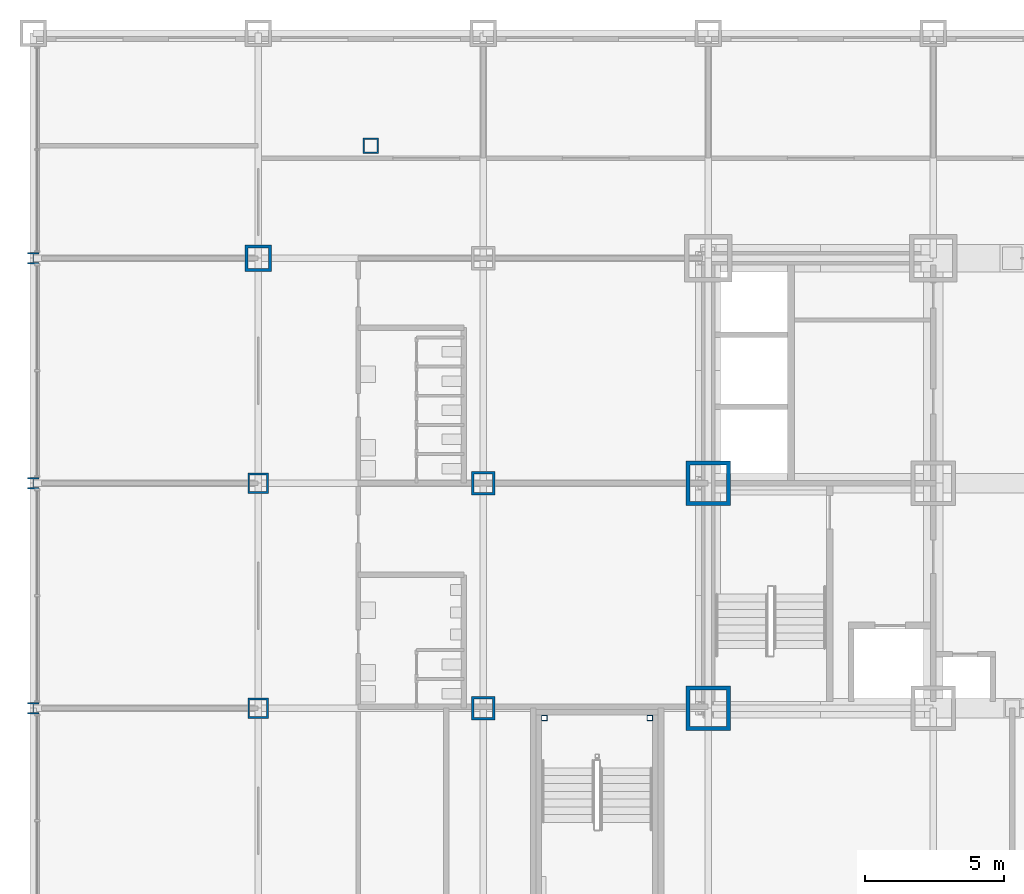
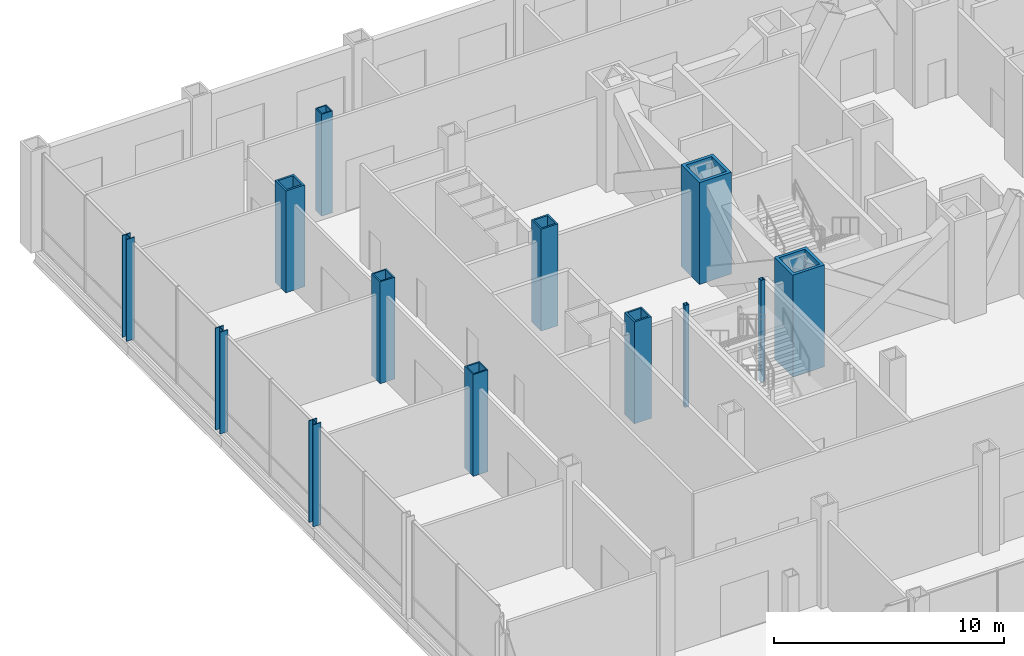
# One storey, part 5 of 29: 13 columns.
"""IFC4 building model written with IfcOpenShell, lengths in metres."""

from ifc_helpers import new_model, si_unit, direction, frame, origin, origin_2d, place, context, subcontext, project, spatial, hollow_rectangle, i_section, extrude, material, material_profile, profile_set, type_object, element, save


model = new_model("IFC4")

# Units and contexts
model_context = context("Model", 3, precision=1e-05, world=origin(), true_north=direction((0.0, 1.0)))
body_context = subcontext(model_context, "Body", "Model", "MODEL_VIEW")
ifc_project = project(units=[si_unit("LENGTHUNIT", "METRE"), si_unit("AREAUNIT", "SQUARE_METRE"), si_unit("VOLUMEUNIT", "CUBIC_METRE"), si_unit("PLANEANGLEUNIT", "RADIAN"), si_unit("MASSUNIT", "GRAM", prefix="KILO")], contexts=[model_context])

# Site, building, storey
site_placement = place(None, origin())
site = spatial("IfcSite", under=ifc_project, at=site_placement, CompositionType="ELEMENT")
building_placement = place(site_placement, origin())
building = spatial("IfcBuilding", under=site, at=building_placement, Name="Kopane Lantern Tower", CompositionType="ELEMENT")
storey_placement = place(building_placement, frame((0.0, 0.0, 11.39990234375)))
storey = spatial("IfcBuildingStorey", under=building, at=storey_placement, Name="L02", CompositionType="ELEMENT", Elevation=11.39990234375)

# Columns
ifc_material_1 = material(Name="Steel S355JR", Category="steel")
ifc_material_profile_1 = material_profile(ifc_material_1, hollow_rectangle(XDim=1.60009765625, YDim=1.60009765625, WallThickness=0.14990234375, at=origin_2d()), Name="BOX 1600x1600x150")
ifc_profile_set_1 = profile_set([ifc_material_profile_1], Name="Steel S355JR")
column_type_1 = type_object("IfcColumnType", Name="COLUMN BOX 1600x1600x150", PredefinedType="COLUMN", material=ifc_profile_set_1)
for number, where, z_axis, x_axis, name in (
    (1, (16.199951171875, 24.300048828125, 0.0), (0.0, 0.0, 1.0), (1.0, 0.0, 0.0), "Column 4/E L02"),
    (2, (16.199951171875, 32.39990234375, 0.0), (0.0, 0.0, 1.0), (1.0, 0.0, 0.0), "Column 4/F L02"),
):
    element("IfcColumn", number, at=place(storey_placement, frame(where, z_axis=z_axis, x_axis=x_axis)), inside=storey, type_object=column_type_1, Name=name, PredefinedType="COLUMN", context=body_context, shape_type="SweptSolid", body=[
        extrude(hollow_rectangle(XDim=1.60009765625, YDim=1.60009765625, WallThickness=0.14990234375, at=origin_2d()), origin(), (0.0, 0.0, 1.0), 5.400146484375),
    ])
ifc_material_2 = material(Name="Steel S355JR", Category="steel")
ifc_material_profile_2 = material_profile(ifc_material_2, hollow_rectangle(XDim=0.550048828125, YDim=0.550048828125, WallThickness=0.050048828125, at=origin_2d()), Name="BOX 550x550x50")
ifc_profile_set_2 = profile_set([ifc_material_profile_2], Name="Steel S355JR")
column_type_2 = type_object("IfcColumnType", Name="COLUMN BOX 550x550x50", PredefinedType="COLUMN", material=ifc_profile_set_2)
column_1_placement = place(storey_placement, frame((4.050048828125, 44.550048828125, 0.0), z_axis=(0.0, 0.0, 1.0), x_axis=(1.0, 0.0, 0.0)))
element("IfcColumn", 3, at=column_1_placement, inside=storey, type_object=column_type_2, Name="Column 4.05/44.55 L02", PredefinedType="COLUMN", context=body_context, shape_type="SweptSolid", body=[
    extrude(hollow_rectangle(XDim=0.550048828125, YDim=0.550048828125, WallThickness=0.050048828125, at=origin_2d()), origin(), (0.0, 0.0, 1.0), 5.400146484375),
])
ifc_material_3 = material(Name="Steel S355JR", Category="steel")
ifc_material_profile_3 = material_profile(ifc_material_3, hollow_rectangle(XDim=0.75, YDim=0.75, WallThickness=0.070068359375, at=origin_2d()), Name="BOX 750x750x70")
ifc_profile_set_3 = profile_set([ifc_material_profile_3], Name="Steel S355JR")
column_type_3 = type_object("IfcColumnType", Name="COLUMN BOX 750x750x70", PredefinedType="COLUMN", material=ifc_profile_set_3)
for number, where, z_axis, x_axis, name in (
    (4, (0.0, 24.300048828125, 0.0), (0.0, 0.0, 1.0), (1.0, 0.0, 0.0), "Column 2/E L02"),
    (5, (0.0, 32.39990234375, 0.0), (0.0, 0.0, 1.0), (1.0, 0.0, 0.0), "Column 2/F L02"),
):
    element("IfcColumn", number, at=place(storey_placement, frame(where, z_axis=z_axis, x_axis=x_axis)), inside=storey, type_object=column_type_3, Name=name, PredefinedType="COLUMN", context=body_context, shape_type="SweptSolid", body=[
        extrude(hollow_rectangle(XDim=0.75, YDim=0.75, WallThickness=0.070068359375, at=origin_2d()), origin(), (0.0, 0.0, 1.0), 5.400146484375),
    ])
ifc_material_4 = material(Name="Steel S355JR", Category="steel")
ifc_material_profile_4 = material_profile(ifc_material_4, hollow_rectangle(XDim=0.85009765625, YDim=0.85009765625, WallThickness=0.0849609375, at=origin_2d()), Name="BOX 850x850x85")
ifc_profile_set_4 = profile_set([ifc_material_profile_4], Name="Steel S355JR")
column_type_4 = type_object("IfcColumnType", Name="COLUMN BOX 850x850x85", PredefinedType="COLUMN", material=ifc_profile_set_4)
for number, where, z_axis, x_axis, name in (
    (6, (8.10009765625, 24.300048828125, 0.0), (0.0, 0.0, 1.0), (1.0, 0.0, 0.0), "Column 3/E L02"),
    (7, (8.10009765625, 32.39990234375, 0.0), (0.0, 0.0, 1.0), (1.0, 0.0, 0.0), "Column 3/F L02"),
):
    element("IfcColumn", number, at=place(storey_placement, frame(where, z_axis=z_axis, x_axis=x_axis)), inside=storey, type_object=column_type_4, Name=name, PredefinedType="COLUMN", context=body_context, shape_type="SweptSolid", body=[
        extrude(hollow_rectangle(XDim=0.85009765625, YDim=0.85009765625, WallThickness=0.0849609375, at=origin_2d()), origin(), (0.0, 0.0, 1.0), 5.400146484375),
    ])
ifc_material_5 = material(Name="Steel S355JR", Category="steel")
ifc_material_profile_5 = material_profile(ifc_material_5, hollow_rectangle(XDim=0.949951171875, YDim=0.949951171875, WallThickness=0.10009765625, at=origin_2d()), Name="BOX 950x950x100")
ifc_profile_set_5 = profile_set([ifc_material_profile_5], Name="Steel S355JR")
column_type_5 = type_object("IfcColumnType", Name="COLUMN BOX 950x950x100", PredefinedType="COLUMN", material=ifc_profile_set_5)
column_2_placement = place(storey_placement, frame((0.0, 40.5, 0.0), z_axis=(0.0, 0.0, 1.0), x_axis=(1.0, 0.0, 0.0)))
element("IfcColumn", 8, at=column_2_placement, inside=storey, type_object=column_type_5, Name="Column 2/G L02", PredefinedType="COLUMN", context=body_context, shape_type="SweptSolid", body=[
    extrude(hollow_rectangle(XDim=0.949951171875, YDim=0.949951171875, WallThickness=0.10009765625, at=origin_2d()), origin(), (0.0, 0.0, 1.0), 5.400146484375),
])
ifc_material_6 = material(Name="Steel S355JR", Category="steel")
ifc_material_profile_6 = material_profile(ifc_material_6, i_section(OverallWidth=0.403076171875, OverallDepth=0.406494140625, WebThickness=0.026611328125, FlangeThickness=0.04296875, FilletRadius=0.01513671875, at=origin_2d()), Name="UC 356x406x340")
ifc_profile_set_6 = profile_set([ifc_material_profile_6], Name="Steel S355JR")
column_type_6 = type_object("IfcColumnType", Name="COLUMN UC 356x406x340", PredefinedType="COLUMN", material=ifc_profile_set_6)
for number, where, z_axis, x_axis, name in (
    (9, (-8.10009765625, 24.300048828125, 0.0), (0.0, 0.0, 1.0), (1.0, 0.0, 0.0), "Column 1/E L02"),
    (10, (-8.10009765625, 32.39990234375, 0.0), (0.0, 0.0, 1.0), (1.0, 0.0, 0.0), "Column 1/F L02"),
    (11, (-8.10009765625, 40.5, 0.0), (0.0, 0.0, 1.0), (1.0, 0.0, 0.0), "Column 1/G L02"),
):
    element("IfcColumn", number, at=place(storey_placement, frame(where, z_axis=z_axis, x_axis=x_axis)), inside=storey, type_object=column_type_6, Name=name, PredefinedType="COLUMN", context=body_context, shape_type="SweptSolid", body=[
        extrude(i_section(OverallWidth=0.403076171875, OverallDepth=0.406494140625, WebThickness=0.026611328125, FlangeThickness=0.04296875, FilletRadius=0.01513671875, at=origin_2d()), origin(), (0.0, 0.0, 1.0), 5.400146484375),
    ])
ifc_material_7 = material(Name="Steel S355JR", Category="steel")
ifc_material_profile_7 = material_profile(ifc_material_7, hollow_rectangle(XDim=0.199951171875, YDim=0.199951171875, WallThickness=0.011962890625, at=origin_2d()), Name="BOX 200x200x12")
ifc_profile_set_7 = profile_set([ifc_material_profile_7], Name="Steel S355JR")
column_type_7 = type_object("IfcColumnType", Name="STAIR POST BOX 200x200x12", PredefinedType="COLUMN", material=ifc_profile_set_7)
for number, where, z_axis, x_axis, name in (
    (12, (10.300048828125, 23.949951171875, 0.0), (0.0, 0.0, 1.0), (1.0, 0.0, 0.0), "Stair post ST3 NW L02"),
    (13, (14.10009765625, 23.949951171875, 0.0), (0.0, 0.0, 1.0), (1.0, 0.0, 0.0), "Stair post ST3 NE L02"),
):
    element("IfcColumn", number, at=place(storey_placement, frame(where, z_axis=z_axis, x_axis=x_axis)), inside=storey, type_object=column_type_7, Name=name, PredefinedType="COLUMN", context=body_context, shape_type="SweptSolid", body=[
        extrude(hollow_rectangle(XDim=0.199951171875, YDim=0.199951171875, WallThickness=0.011962890625, at=origin_2d()), origin(), (0.0, 0.0, 1.0), 5.400146484375),
    ])

save(model, "model.ifc")
